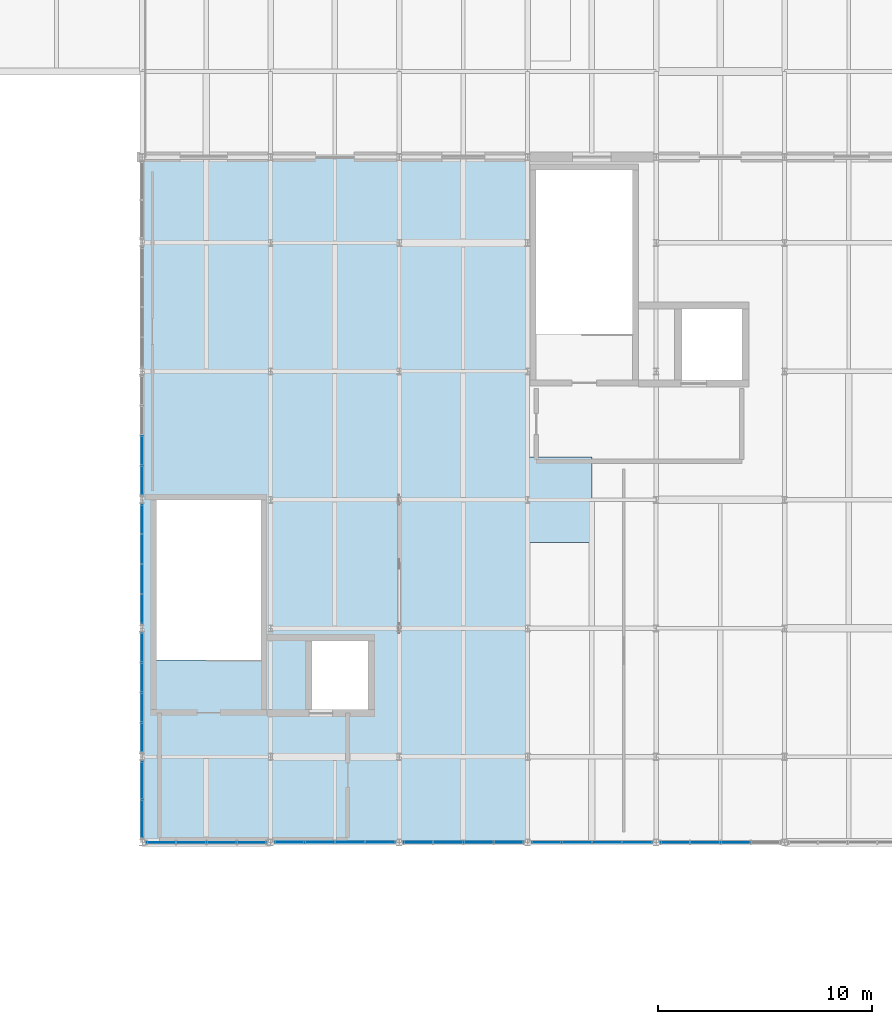
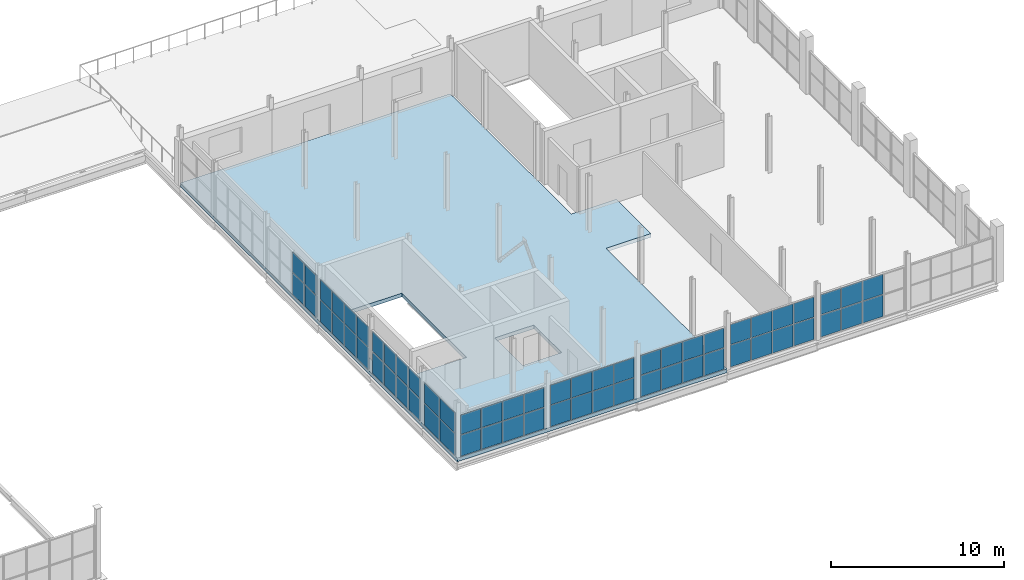
# One storey, part 79 of 96: 62 plates, 1 slab, 9 elements without a shape of their own.
"""IFC4 building model written with IfcOpenShell, lengths in metres."""

from ifc_helpers import new_model, si_unit, direction, frame, origin, origin_2d, place, context, subcontext, project, spatial, polyline, rectangle, outline, extrude, material, layer, layer_set, type_object, element, aggregate, save


model = new_model("IFC4")

# Units and contexts
model_context = context("Model", 3, precision=1e-05, world=origin(), true_north=direction((0.0, 1.0)))
body_context = subcontext(model_context, "Body", "Model", "MODEL_VIEW")
ifc_project = project(units=[si_unit("LENGTHUNIT", "METRE"), si_unit("AREAUNIT", "SQUARE_METRE"), si_unit("VOLUMEUNIT", "CUBIC_METRE"), si_unit("PLANEANGLEUNIT", "RADIAN"), si_unit("MASSUNIT", "GRAM", prefix="KILO")], contexts=[model_context])

# Site, building, storey
site_placement = place(None, origin())
site = spatial("IfcSite", under=ifc_project, at=site_placement, CompositionType="ELEMENT")
building_placement = place(site_placement, origin())
building = spatial("IfcBuilding", under=site, at=building_placement, Name="Verrall Gate Interchange", CompositionType="ELEMENT")
storey_placement = place(building_placement, frame((0.0, 0.0, 11.39990234375)))
storey = spatial("IfcBuildingStorey", under=building, at=storey_placement, Name="L03", CompositionType="ELEMENT", Elevation=11.39990234375)

# Curtain wall, plates
ifc_material_1 = material(Name="Thermally Broken Anodized Aluminium Curtain Wall Framing", Category="aluminium")
curtain_wall_type_1 = type_object("IfcCurtainWallType", Name="CW-35 Unitized Curtain Wall 5682x3030", PredefinedType="NOTDEFINED", material=ifc_material_1)
curtain_wall_1_placement = place(storey_placement, origin())
curtain_wall_1 = element("IfcCurtainWall", 1, at=curtain_wall_1_placement, inside=storey, type_object=curtain_wall_type_1, Name="L03 Unitized Curtain Wall CW-L03-109", PredefinedType="NOTDEFINED")
ifc_material_2 = material(Name="Triple-Glazed Low-E Argon Insulated Curtain Panel (U=1.45)", Category="glass")
ifc_layer_1 = layer(ifc_material_2, 0.030029296875)
ifc_layer_set_1 = layer_set([ifc_layer_1], Name="Triple-Glazed Low-E Argon Insulated Curtain Panel (U=1.45)")
plate_type_1 = type_object("IfcPlateType", Name="CP-01 Curtain Glazing Panel 30", PredefinedType="CURTAIN_PANEL", material=ifc_layer_set_1)
plate_1_placement = place(storey_placement, frame((132.887939453125, 12.0, 0.06298828125), z_axis=(0.0, 0.0, 1.0), x_axis=(1.0, 0.0, 0.0)))
plate_1 = element("IfcPlate", 2, at=plate_1_placement, type_object=plate_type_1, Name="CW-L03-109 Glazing Panel 1.1", PredefinedType="CURTAIN_PANEL", context=body_context, shape_type="SweptSolid", body=[
    extrude(rectangle(XDim=1.33203125, YDim=0.030029296875, at=origin_2d()), origin(), (0.0, 0.0, 1.0), 1.487060546875),
])
plate_2_placement = place(storey_placement, frame((132.887939453125, 12.0, 1.60107421875), z_axis=(0.0, 0.0, 1.0), x_axis=(1.0, 0.0, 0.0)))
plate_2 = element("IfcPlate", 3, at=plate_2_placement, type_object=plate_type_1, Name="CW-L03-109 Glazing Panel 1.2", PredefinedType="CURTAIN_PANEL", context=body_context, shape_type="SweptSolid", body=[
    extrude(rectangle(XDim=1.33203125, YDim=0.030029296875, at=origin_2d()), origin(), (0.0, 0.0, 1.0), 1.365966796875),
])
plate_3_placement = place(storey_placement, frame((134.289794921875, 12.0, 0.06298828125), z_axis=(0.0, 0.0, 1.0), x_axis=(1.0, 0.0, 0.0)))
plate_3 = element("IfcPlate", 4, at=plate_3_placement, type_object=plate_type_1, Name="CW-L03-109 Glazing Panel 2.1", PredefinedType="CURTAIN_PANEL", context=body_context, shape_type="SweptSolid", body=[
    extrude(rectangle(XDim=1.369384765625, YDim=0.030029296875, at=origin_2d()), origin(), (0.0, 0.0, 1.0), 1.487060546875),
])
plate_4_placement = place(storey_placement, frame((134.289794921875, 12.0, 1.60107421875), z_axis=(0.0, 0.0, 1.0), x_axis=(1.0, 0.0, 0.0)))
plate_4 = element("IfcPlate", 5, at=plate_4_placement, type_object=plate_type_1, Name="CW-L03-109 Glazing Panel 2.2", PredefinedType="CURTAIN_PANEL", context=body_context, shape_type="SweptSolid", body=[
    extrude(rectangle(XDim=1.369384765625, YDim=0.030029296875, at=origin_2d()), origin(), (0.0, 0.0, 1.0), 1.365966796875),
])
plate_5_placement = place(storey_placement, frame((135.710205078125, 12.0, 0.06298828125), z_axis=(0.0, 0.0, 1.0), x_axis=(1.0, 0.0, 0.0)))
plate_5 = element("IfcPlate", 6, at=plate_5_placement, type_object=plate_type_1, Name="CW-L03-109 Glazing Panel 3.1", PredefinedType="CURTAIN_PANEL", context=body_context, shape_type="SweptSolid", body=[
    extrude(rectangle(XDim=1.369384765625, YDim=0.030029296875, at=origin_2d()), origin(), (0.0, 0.0, 1.0), 1.487060546875),
])
plate_6_placement = place(storey_placement, frame((135.710205078125, 12.0, 1.60107421875), z_axis=(0.0, 0.0, 1.0), x_axis=(1.0, 0.0, 0.0)))
plate_6 = element("IfcPlate", 7, at=plate_6_placement, type_object=plate_type_1, Name="CW-L03-109 Glazing Panel 3.2", PredefinedType="CURTAIN_PANEL", context=body_context, shape_type="SweptSolid", body=[
    extrude(rectangle(XDim=1.369384765625, YDim=0.030029296875, at=origin_2d()), origin(), (0.0, 0.0, 1.0), 1.365966796875),
])
plate_7_placement = place(storey_placement, frame((137.112060546875, 12.0, 0.06298828125), z_axis=(0.0, 0.0, 1.0), x_axis=(1.0, 0.0, 0.0)))
plate_7 = element("IfcPlate", 8, at=plate_7_placement, type_object=plate_type_1, Name="CW-L03-109 Glazing Panel 4.1", PredefinedType="CURTAIN_PANEL", context=body_context, shape_type="SweptSolid", body=[
    extrude(rectangle(XDim=1.33203125, YDim=0.030029296875, at=origin_2d()), origin(), (0.0, 0.0, 1.0), 1.487060546875),
])
plate_8_placement = place(storey_placement, frame((137.112060546875, 12.0, 1.60107421875), z_axis=(0.0, 0.0, 1.0), x_axis=(1.0, 0.0, 0.0)))
plate_8 = element("IfcPlate", 9, at=plate_8_placement, type_object=plate_type_1, Name="CW-L03-109 Glazing Panel 4.2", PredefinedType="CURTAIN_PANEL", context=body_context, shape_type="SweptSolid", body=[
    extrude(rectangle(XDim=1.33203125, YDim=0.030029296875, at=origin_2d()), origin(), (0.0, 0.0, 1.0), 1.365966796875),
])
aggregate(curtain_wall_1, [plate_1, plate_2, plate_3, plate_4, plate_5, plate_6, plate_7, plate_8])

ifc_material_3 = material(Name="Thermally Broken Anodized Aluminium Curtain Wall Framing", Category="aluminium")
curtain_wall_type_2 = type_object("IfcCurtainWallType", Name="CW-31 Unitized Curtain Wall 5682x3110", PredefinedType="NOTDEFINED", material=ifc_material_3)
curtain_wall_2_placement = place(storey_placement, origin())
curtain_wall_2 = element("IfcCurtainWall", 10, at=curtain_wall_2_placement, inside=storey, type_object=curtain_wall_type_2, Name="L03 Unitized Curtain Wall CW-L03-112", PredefinedType="NOTDEFINED")
plate_9_placement = place(storey_placement, frame((150.885498046875, 12.0, 0.0546875), z_axis=(0.0, 0.0, 1.0), x_axis=(1.0, 0.0, 0.0)))
plate_9 = element("IfcPlate", 11, at=plate_9_placement, type_object=plate_type_1, Name="CW-L03-112 Glazing Panel 1.1", PredefinedType="CURTAIN_PANEL", context=body_context, shape_type="SweptSolid", body=[
    extrude(rectangle(XDim=1.34375, YDim=0.030029296875, at=origin_2d()), origin(), (0.0, 0.0, 1.0), 1.54052734375),
])
plate_10_placement = place(storey_placement, frame((150.885498046875, 12.0, 1.639404296875), z_axis=(0.0, 0.0, 1.0), x_axis=(1.0, 0.0, 0.0)))
plate_10 = element("IfcPlate", 12, at=plate_10_placement, type_object=plate_type_1, Name="CW-L03-112 Glazing Panel 1.2", PredefinedType="CURTAIN_PANEL", context=body_context, shape_type="SweptSolid", body=[
    extrude(rectangle(XDim=1.34375, YDim=0.030029296875, at=origin_2d()), origin(), (0.0, 0.0, 1.0), 1.416015625),
])
plate_11_placement = place(storey_placement, frame((152.289794921875, 12.0, 0.0546875), z_axis=(0.0, 0.0, 1.0), x_axis=(1.0, 0.0, 0.0)))
plate_11 = element("IfcPlate", 13, at=plate_11_placement, type_object=plate_type_1, Name="CW-L03-112 Glazing Panel 2.1", PredefinedType="CURTAIN_PANEL", context=body_context, shape_type="SweptSolid", body=[
    extrude(rectangle(XDim=1.376220703125, YDim=0.030029296875, at=origin_2d()), origin(), (0.0, 0.0, 1.0), 1.54052734375),
])
plate_12_placement = place(storey_placement, frame((152.289794921875, 12.0, 1.639404296875), z_axis=(0.0, 0.0, 1.0), x_axis=(1.0, 0.0, 0.0)))
plate_12 = element("IfcPlate", 14, at=plate_12_placement, type_object=plate_type_1, Name="CW-L03-112 Glazing Panel 2.2", PredefinedType="CURTAIN_PANEL", context=body_context, shape_type="SweptSolid", body=[
    extrude(rectangle(XDim=1.376220703125, YDim=0.030029296875, at=origin_2d()), origin(), (0.0, 0.0, 1.0), 1.416015625),
])
plate_13_placement = place(storey_placement, frame((153.710205078125, 12.0, 0.0546875), z_axis=(0.0, 0.0, 1.0), x_axis=(1.0, 0.0, 0.0)))
plate_13 = element("IfcPlate", 15, at=plate_13_placement, type_object=plate_type_1, Name="CW-L03-112 Glazing Panel 3.1", PredefinedType="CURTAIN_PANEL", context=body_context, shape_type="SweptSolid", body=[
    extrude(rectangle(XDim=1.376220703125, YDim=0.030029296875, at=origin_2d()), origin(), (0.0, 0.0, 1.0), 1.54052734375),
])
plate_14_placement = place(storey_placement, frame((153.710205078125, 12.0, 1.639404296875), z_axis=(0.0, 0.0, 1.0), x_axis=(1.0, 0.0, 0.0)))
plate_14 = element("IfcPlate", 16, at=plate_14_placement, type_object=plate_type_1, Name="CW-L03-112 Glazing Panel 3.2", PredefinedType="CURTAIN_PANEL", context=body_context, shape_type="SweptSolid", body=[
    extrude(rectangle(XDim=1.376220703125, YDim=0.030029296875, at=origin_2d()), origin(), (0.0, 0.0, 1.0), 1.416015625),
])
plate_15_placement = place(storey_placement, frame((155.114501953125, 12.0, 0.0546875), z_axis=(0.0, 0.0, 1.0), x_axis=(1.0, 0.0, 0.0)))
plate_15 = element("IfcPlate", 17, at=plate_15_placement, type_object=plate_type_1, Name="CW-L03-112 Glazing Panel 4.1", PredefinedType="CURTAIN_PANEL", context=body_context, shape_type="SweptSolid", body=[
    extrude(rectangle(XDim=1.34375, YDim=0.030029296875, at=origin_2d()), origin(), (0.0, 0.0, 1.0), 1.54052734375),
])
plate_16_placement = place(storey_placement, frame((155.114501953125, 12.0, 1.639404296875), z_axis=(0.0, 0.0, 1.0), x_axis=(1.0, 0.0, 0.0)))
plate_16 = element("IfcPlate", 18, at=plate_16_placement, type_object=plate_type_1, Name="CW-L03-112 Glazing Panel 4.2", PredefinedType="CURTAIN_PANEL", context=body_context, shape_type="SweptSolid", body=[
    extrude(rectangle(XDim=1.34375, YDim=0.030029296875, at=origin_2d()), origin(), (0.0, 0.0, 1.0), 1.416015625),
])
aggregate(curtain_wall_2, [plate_9, plate_10, plate_11, plate_12, plate_13, plate_14, plate_15, plate_16])

curtain_wall_3_placement = place(storey_placement, origin())
curtain_wall_3 = element("IfcCurtainWall", 19, at=curtain_wall_3_placement, inside=storey, type_object=curtain_wall_type_2, Name="L03 Unitized Curtain Wall CW-L03-113", PredefinedType="NOTDEFINED")
plate_17_placement = place(storey_placement, frame((156.887939453125, 12.0, 0.06298828125), z_axis=(0.0, 0.0, 1.0), x_axis=(1.0, 0.0, 0.0)))
plate_17 = element("IfcPlate", 20, at=plate_17_placement, type_object=plate_type_1, Name="CW-L03-113 Glazing Panel 1.1", PredefinedType="CURTAIN_PANEL", context=body_context, shape_type="SweptSolid", body=[
    extrude(rectangle(XDim=1.33203125, YDim=0.030029296875, at=origin_2d()), origin(), (0.0, 0.0, 1.0), 1.52880859375),
])
plate_18_placement = place(storey_placement, frame((156.887939453125, 12.0, 1.642822265625), z_axis=(0.0, 0.0, 1.0), x_axis=(1.0, 0.0, 0.0)))
plate_18 = element("IfcPlate", 21, at=plate_18_placement, type_object=plate_type_1, Name="CW-L03-113 Glazing Panel 1.2", PredefinedType="CURTAIN_PANEL", context=body_context, shape_type="SweptSolid", body=[
    extrude(rectangle(XDim=1.33203125, YDim=0.030029296875, at=origin_2d()), origin(), (0.0, 0.0, 1.0), 1.404296875),
])
plate_19_placement = place(storey_placement, frame((158.289794921875, 12.0, 0.06298828125), z_axis=(0.0, 0.0, 1.0), x_axis=(1.0, 0.0, 0.0)))
plate_19 = element("IfcPlate", 22, at=plate_19_placement, type_object=plate_type_1, Name="CW-L03-113 Glazing Panel 2.1", PredefinedType="CURTAIN_PANEL", context=body_context, shape_type="SweptSolid", body=[
    extrude(rectangle(XDim=1.369384765625, YDim=0.030029296875, at=origin_2d()), origin(), (0.0, 0.0, 1.0), 1.52880859375),
])
plate_20_placement = place(storey_placement, frame((158.289794921875, 12.0, 1.642822265625), z_axis=(0.0, 0.0, 1.0), x_axis=(1.0, 0.0, 0.0)))
plate_20 = element("IfcPlate", 23, at=plate_20_placement, type_object=plate_type_1, Name="CW-L03-113 Glazing Panel 2.2", PredefinedType="CURTAIN_PANEL", context=body_context, shape_type="SweptSolid", body=[
    extrude(rectangle(XDim=1.369384765625, YDim=0.030029296875, at=origin_2d()), origin(), (0.0, 0.0, 1.0), 1.404296875),
])
plate_21_placement = place(storey_placement, frame((159.710205078125, 12.0, 0.06298828125), z_axis=(0.0, 0.0, 1.0), x_axis=(1.0, 0.0, 0.0)))
plate_21 = element("IfcPlate", 24, at=plate_21_placement, type_object=plate_type_1, Name="CW-L03-113 Glazing Panel 3.1", PredefinedType="CURTAIN_PANEL", context=body_context, shape_type="SweptSolid", body=[
    extrude(rectangle(XDim=1.369384765625, YDim=0.030029296875, at=origin_2d()), origin(), (0.0, 0.0, 1.0), 1.52880859375),
])
plate_22_placement = place(storey_placement, frame((159.710205078125, 12.0, 1.642822265625), z_axis=(0.0, 0.0, 1.0), x_axis=(1.0, 0.0, 0.0)))
plate_22 = element("IfcPlate", 25, at=plate_22_placement, type_object=plate_type_1, Name="CW-L03-113 Glazing Panel 3.2", PredefinedType="CURTAIN_PANEL", context=body_context, shape_type="SweptSolid", body=[
    extrude(rectangle(XDim=1.369384765625, YDim=0.030029296875, at=origin_2d()), origin(), (0.0, 0.0, 1.0), 1.404296875),
])
aggregate(curtain_wall_3, [plate_17, plate_18, plate_19, plate_20, plate_21, plate_22])

ifc_material_4 = material(Name="Thermally Broken Anodized Aluminium Curtain Wall Framing", Category="aluminium")
curtain_wall_type_3 = type_object("IfcCurtainWallType", Name="CW-36 Unitized Curtain Wall 5559x3110", PredefinedType="NOTDEFINED", material=ifc_material_4)
curtain_wall_4_placement = place(storey_placement, origin())
curtain_wall_4 = element("IfcCurtainWall", 26, at=curtain_wall_4_placement, inside=storey, type_object=curtain_wall_type_3, Name="L03 Unitized Curtain Wall CW-L03-124", PredefinedType="NOTDEFINED")
plate_23_placement = place(storey_placement, frame((132.0, 27.094970703125, 0.0546875), z_axis=(0.0, 0.0, 1.0), x_axis=(0.0, -1.0, 0.0)))
plate_23 = element("IfcPlate", 27, at=plate_23_placement, type_object=plate_type_1, Name="CW-L03-124 Glazing Panel 1.1", PredefinedType="CURTAIN_PANEL", context=body_context, shape_type="SweptSolid", body=[
    extrude(rectangle(XDim=1.330810546875, YDim=0.030029296875, at=origin_2d()), origin(), (0.0, 0.0, 1.0), 1.54052734375),
])
plate_24_placement = place(storey_placement, frame((132.0, 27.094970703125, 1.639404296875), z_axis=(0.0, 0.0, 1.0), x_axis=(0.0, -1.0, 0.0)))
plate_24 = element("IfcPlate", 28, at=plate_24_placement, type_object=plate_type_1, Name="CW-L03-124 Glazing Panel 1.2", PredefinedType="CURTAIN_PANEL", context=body_context, shape_type="SweptSolid", body=[
    extrude(rectangle(XDim=1.330810546875, YDim=0.030029296875, at=origin_2d()), origin(), (0.0, 0.0, 1.0), 1.416015625),
])
plate_25_placement = place(storey_placement, frame((132.0, 25.70361328125, 0.0546875), z_axis=(0.0, 0.0, 1.0), x_axis=(0.0, -1.0, 0.0)))
plate_25 = element("IfcPlate", 29, at=plate_25_placement, type_object=plate_type_1, Name="CW-L03-124 Glazing Panel 2.1", PredefinedType="CURTAIN_PANEL", context=body_context, shape_type="SweptSolid", body=[
    extrude(rectangle(XDim=1.36328125, YDim=0.030029296875, at=origin_2d()), origin(), (0.0, 0.0, 1.0), 1.54052734375),
])
plate_26_placement = place(storey_placement, frame((132.0, 25.70361328125, 1.639404296875), z_axis=(0.0, 0.0, 1.0), x_axis=(0.0, -1.0, 0.0)))
plate_26 = element("IfcPlate", 30, at=plate_26_placement, type_object=plate_type_1, Name="CW-L03-124 Glazing Panel 2.2", PredefinedType="CURTAIN_PANEL", context=body_context, shape_type="SweptSolid", body=[
    extrude(rectangle(XDim=1.36328125, YDim=0.030029296875, at=origin_2d()), origin(), (0.0, 0.0, 1.0), 1.416015625),
])
plate_27_placement = place(storey_placement, frame((132.0, 24.29638671875, 0.0546875), z_axis=(0.0, 0.0, 1.0), x_axis=(0.0, -1.0, 0.0)))
plate_27 = element("IfcPlate", 31, at=plate_27_placement, type_object=plate_type_1, Name="CW-L03-124 Glazing Panel 3.1", PredefinedType="CURTAIN_PANEL", context=body_context, shape_type="SweptSolid", body=[
    extrude(rectangle(XDim=1.36328125, YDim=0.030029296875, at=origin_2d()), origin(), (0.0, 0.0, 1.0), 1.54052734375),
])
plate_28_placement = place(storey_placement, frame((132.0, 24.29638671875, 1.639404296875), z_axis=(0.0, 0.0, 1.0), x_axis=(0.0, -1.0, 0.0)))
plate_28 = element("IfcPlate", 32, at=plate_28_placement, type_object=plate_type_1, Name="CW-L03-124 Glazing Panel 3.2", PredefinedType="CURTAIN_PANEL", context=body_context, shape_type="SweptSolid", body=[
    extrude(rectangle(XDim=1.36328125, YDim=0.030029296875, at=origin_2d()), origin(), (0.0, 0.0, 1.0), 1.416015625),
])
plate_29_placement = place(storey_placement, frame((132.0, 22.905029296875, 0.0546875), z_axis=(0.0, 0.0, 1.0), x_axis=(0.0, -1.0, 0.0)))
plate_29 = element("IfcPlate", 33, at=plate_29_placement, type_object=plate_type_1, Name="CW-L03-124 Glazing Panel 4.1", PredefinedType="CURTAIN_PANEL", context=body_context, shape_type="SweptSolid", body=[
    extrude(rectangle(XDim=1.330810546875, YDim=0.030029296875, at=origin_2d()), origin(), (0.0, 0.0, 1.0), 1.54052734375),
])
plate_30_placement = place(storey_placement, frame((132.0, 22.905029296875, 1.639404296875), z_axis=(0.0, 0.0, 1.0), x_axis=(0.0, -1.0, 0.0)))
plate_30 = element("IfcPlate", 34, at=plate_30_placement, type_object=plate_type_1, Name="CW-L03-124 Glazing Panel 4.2", PredefinedType="CURTAIN_PANEL", context=body_context, shape_type="SweptSolid", body=[
    extrude(rectangle(XDim=1.330810546875, YDim=0.030029296875, at=origin_2d()), origin(), (0.0, 0.0, 1.0), 1.416015625),
])
aggregate(curtain_wall_4, [plate_23, plate_24, plate_25, plate_26, plate_27, plate_28, plate_29, plate_30])

curtain_wall_5_placement = place(storey_placement, origin())
curtain_wall_5 = element("IfcCurtainWall", 35, at=curtain_wall_5_placement, inside=storey, type_object=curtain_wall_type_3, Name="L03 Unitized Curtain Wall CW-L03-125", PredefinedType="NOTDEFINED")
plate_31_placement = place(storey_placement, frame((132.0, 21.092529296875, 0.06298828125), z_axis=(0.0, 0.0, 1.0), x_axis=(0.0, -1.0, 0.0)))
plate_31 = element("IfcPlate", 36, at=plate_31_placement, type_object=plate_type_1, Name="CW-L03-125 Glazing Panel 1.1", PredefinedType="CURTAIN_PANEL", context=body_context, shape_type="SweptSolid", body=[
    extrude(rectangle(XDim=1.319091796875, YDim=0.030029296875, at=origin_2d()), origin(), (0.0, 0.0, 1.0), 1.52880859375),
])
plate_32_placement = place(storey_placement, frame((132.0, 21.092529296875, 1.642822265625), z_axis=(0.0, 0.0, 1.0), x_axis=(0.0, -1.0, 0.0)))
plate_32 = element("IfcPlate", 37, at=plate_32_placement, type_object=plate_type_1, Name="CW-L03-125 Glazing Panel 1.2", PredefinedType="CURTAIN_PANEL", context=body_context, shape_type="SweptSolid", body=[
    extrude(rectangle(XDim=1.319091796875, YDim=0.030029296875, at=origin_2d()), origin(), (0.0, 0.0, 1.0), 1.404296875),
])
plate_33_placement = place(storey_placement, frame((132.0, 19.70361328125, 0.06298828125), z_axis=(0.0, 0.0, 1.0), x_axis=(0.0, -1.0, 0.0)))
plate_33 = element("IfcPlate", 38, at=plate_33_placement, type_object=plate_type_1, Name="CW-L03-125 Glazing Panel 2.1", PredefinedType="CURTAIN_PANEL", context=body_context, shape_type="SweptSolid", body=[
    extrude(rectangle(XDim=1.3564453125, YDim=0.030029296875, at=origin_2d()), origin(), (0.0, 0.0, 1.0), 1.52880859375),
])
plate_34_placement = place(storey_placement, frame((132.0, 19.70361328125, 1.642822265625), z_axis=(0.0, 0.0, 1.0), x_axis=(0.0, -1.0, 0.0)))
plate_34 = element("IfcPlate", 39, at=plate_34_placement, type_object=plate_type_1, Name="CW-L03-125 Glazing Panel 2.2", PredefinedType="CURTAIN_PANEL", context=body_context, shape_type="SweptSolid", body=[
    extrude(rectangle(XDim=1.3564453125, YDim=0.030029296875, at=origin_2d()), origin(), (0.0, 0.0, 1.0), 1.404296875),
])
plate_35_placement = place(storey_placement, frame((132.0, 18.29638671875, 0.06298828125), z_axis=(0.0, 0.0, 1.0), x_axis=(0.0, -1.0, 0.0)))
plate_35 = element("IfcPlate", 40, at=plate_35_placement, type_object=plate_type_1, Name="CW-L03-125 Glazing Panel 3.1", PredefinedType="CURTAIN_PANEL", context=body_context, shape_type="SweptSolid", body=[
    extrude(rectangle(XDim=1.3564453125, YDim=0.030029296875, at=origin_2d()), origin(), (0.0, 0.0, 1.0), 1.52880859375),
])
plate_36_placement = place(storey_placement, frame((132.0, 18.29638671875, 1.642822265625), z_axis=(0.0, 0.0, 1.0), x_axis=(0.0, -1.0, 0.0)))
plate_36 = element("IfcPlate", 41, at=plate_36_placement, type_object=plate_type_1, Name="CW-L03-125 Glazing Panel 3.2", PredefinedType="CURTAIN_PANEL", context=body_context, shape_type="SweptSolid", body=[
    extrude(rectangle(XDim=1.3564453125, YDim=0.030029296875, at=origin_2d()), origin(), (0.0, 0.0, 1.0), 1.404296875),
])
plate_37_placement = place(storey_placement, frame((132.0, 16.907470703125, 0.06298828125), z_axis=(0.0, 0.0, 1.0), x_axis=(0.0, -1.0, 0.0)))
plate_37 = element("IfcPlate", 42, at=plate_37_placement, type_object=plate_type_1, Name="CW-L03-125 Glazing Panel 4.1", PredefinedType="CURTAIN_PANEL", context=body_context, shape_type="SweptSolid", body=[
    extrude(rectangle(XDim=1.319091796875, YDim=0.030029296875, at=origin_2d()), origin(), (0.0, 0.0, 1.0), 1.52880859375),
])
plate_38_placement = place(storey_placement, frame((132.0, 16.907470703125, 1.642822265625), z_axis=(0.0, 0.0, 1.0), x_axis=(0.0, -1.0, 0.0)))
plate_38 = element("IfcPlate", 43, at=plate_38_placement, type_object=plate_type_1, Name="CW-L03-125 Glazing Panel 4.2", PredefinedType="CURTAIN_PANEL", context=body_context, shape_type="SweptSolid", body=[
    extrude(rectangle(XDim=1.319091796875, YDim=0.030029296875, at=origin_2d()), origin(), (0.0, 0.0, 1.0), 1.404296875),
])
aggregate(curtain_wall_5, [plate_31, plate_32, plate_33, plate_34, plate_35, plate_36, plate_37, plate_38])

curtain_wall_6_placement = place(storey_placement, origin())
curtain_wall_6 = element("IfcCurtainWall", 44, at=curtain_wall_6_placement, inside=storey, type_object=curtain_wall_type_1, Name="L03 Unitized Curtain Wall CW-L03-110", PredefinedType="NOTDEFINED")
ifc_material_5 = material(Name="Triple-Glazed Low-E Argon Insulated Curtain Panel (U=1.45)", Category="glass")
ifc_layer_2 = layer(ifc_material_5, 0.0400390625)
ifc_layer_set_2 = layer_set([ifc_layer_2], Name="Triple-Glazed Low-E Argon Insulated Curtain Panel (U=1.45)")
plate_type_2 = type_object("IfcPlateType", Name="CP-02 Curtain Glazing Panel 40", PredefinedType="CURTAIN_PANEL", material=ifc_layer_set_2)
plate_39_placement = place(storey_placement, frame((138.885498046875, 12.0, 0.0546875), z_axis=(0.0, 0.0, 1.0), x_axis=(1.0, 0.0, 0.0)))
plate_39 = element("IfcPlate", 45, at=plate_39_placement, type_object=plate_type_2, Name="CW-L03-110 Glazing Panel 1.1", PredefinedType="CURTAIN_PANEL", context=body_context, shape_type="SweptSolid", body=[
    extrude(rectangle(XDim=1.34375, YDim=0.0400390625, at=origin_2d()), origin(), (0.0, 0.0, 1.0), 1.498779296875),
])
plate_40_placement = place(storey_placement, frame((138.885498046875, 12.0, 1.59765625), z_axis=(0.0, 0.0, 1.0), x_axis=(1.0, 0.0, 0.0)))
plate_40 = element("IfcPlate", 46, at=plate_40_placement, type_object=plate_type_2, Name="CW-L03-110 Glazing Panel 1.2", PredefinedType="CURTAIN_PANEL", context=body_context, shape_type="SweptSolid", body=[
    extrude(rectangle(XDim=1.34375, YDim=0.0400390625, at=origin_2d()), origin(), (0.0, 0.0, 1.0), 1.377685546875),
])
plate_41_placement = place(storey_placement, frame((140.289794921875, 12.0, 0.0546875), z_axis=(0.0, 0.0, 1.0), x_axis=(1.0, 0.0, 0.0)))
plate_41 = element("IfcPlate", 47, at=plate_41_placement, type_object=plate_type_2, Name="CW-L03-110 Glazing Panel 2.1", PredefinedType="CURTAIN_PANEL", context=body_context, shape_type="SweptSolid", body=[
    extrude(rectangle(XDim=1.376220703125, YDim=0.0400390625, at=origin_2d()), origin(), (0.0, 0.0, 1.0), 1.498779296875),
])
plate_42_placement = place(storey_placement, frame((140.289794921875, 12.0, 1.59765625), z_axis=(0.0, 0.0, 1.0), x_axis=(1.0, 0.0, 0.0)))
plate_42 = element("IfcPlate", 48, at=plate_42_placement, type_object=plate_type_2, Name="CW-L03-110 Glazing Panel 2.2", PredefinedType="CURTAIN_PANEL", context=body_context, shape_type="SweptSolid", body=[
    extrude(rectangle(XDim=1.376220703125, YDim=0.0400390625, at=origin_2d()), origin(), (0.0, 0.0, 1.0), 1.377685546875),
])
plate_43_placement = place(storey_placement, frame((141.710205078125, 12.0, 0.0546875), z_axis=(0.0, 0.0, 1.0), x_axis=(1.0, 0.0, 0.0)))
plate_43 = element("IfcPlate", 49, at=plate_43_placement, type_object=plate_type_2, Name="CW-L03-110 Glazing Panel 3.1", PredefinedType="CURTAIN_PANEL", context=body_context, shape_type="SweptSolid", body=[
    extrude(rectangle(XDim=1.376220703125, YDim=0.0400390625, at=origin_2d()), origin(), (0.0, 0.0, 1.0), 1.498779296875),
])
plate_44_placement = place(storey_placement, frame((141.710205078125, 12.0, 1.59765625), z_axis=(0.0, 0.0, 1.0), x_axis=(1.0, 0.0, 0.0)))
plate_44 = element("IfcPlate", 50, at=plate_44_placement, type_object=plate_type_2, Name="CW-L03-110 Glazing Panel 3.2", PredefinedType="CURTAIN_PANEL", context=body_context, shape_type="SweptSolid", body=[
    extrude(rectangle(XDim=1.376220703125, YDim=0.0400390625, at=origin_2d()), origin(), (0.0, 0.0, 1.0), 1.377685546875),
])
plate_45_placement = place(storey_placement, frame((143.114501953125, 12.0, 0.0546875), z_axis=(0.0, 0.0, 1.0), x_axis=(1.0, 0.0, 0.0)))
plate_45 = element("IfcPlate", 51, at=plate_45_placement, type_object=plate_type_2, Name="CW-L03-110 Glazing Panel 4.1", PredefinedType="CURTAIN_PANEL", context=body_context, shape_type="SweptSolid", body=[
    extrude(rectangle(XDim=1.34375, YDim=0.0400390625, at=origin_2d()), origin(), (0.0, 0.0, 1.0), 1.498779296875),
])
plate_46_placement = place(storey_placement, frame((143.114501953125, 12.0, 1.59765625), z_axis=(0.0, 0.0, 1.0), x_axis=(1.0, 0.0, 0.0)))
plate_46 = element("IfcPlate", 52, at=plate_46_placement, type_object=plate_type_2, Name="CW-L03-110 Glazing Panel 4.2", PredefinedType="CURTAIN_PANEL", context=body_context, shape_type="SweptSolid", body=[
    extrude(rectangle(XDim=1.34375, YDim=0.0400390625, at=origin_2d()), origin(), (0.0, 0.0, 1.0), 1.377685546875),
])
aggregate(curtain_wall_6, [plate_39, plate_40, plate_41, plate_42, plate_43, plate_44, plate_45, plate_46])

curtain_wall_7_placement = place(storey_placement, origin())
curtain_wall_7 = element("IfcCurtainWall", 53, at=curtain_wall_7_placement, inside=storey, type_object=curtain_wall_type_1, Name="L03 Unitized Curtain Wall CW-L03-111", PredefinedType="NOTDEFINED")
plate_47_placement = place(storey_placement, frame((144.887939453125, 12.0, 0.06298828125), z_axis=(0.0, 0.0, 1.0), x_axis=(1.0, 0.0, 0.0)))
plate_47 = element("IfcPlate", 54, at=plate_47_placement, type_object=plate_type_2, Name="CW-L03-111 Glazing Panel 1.1", PredefinedType="CURTAIN_PANEL", context=body_context, shape_type="SweptSolid", body=[
    extrude(rectangle(XDim=1.33203125, YDim=0.0400390625, at=origin_2d()), origin(), (0.0, 0.0, 1.0), 1.487060546875),
])
plate_48_placement = place(storey_placement, frame((144.887939453125, 12.0, 1.60107421875), z_axis=(0.0, 0.0, 1.0), x_axis=(1.0, 0.0, 0.0)))
plate_48 = element("IfcPlate", 55, at=plate_48_placement, type_object=plate_type_2, Name="CW-L03-111 Glazing Panel 1.2", PredefinedType="CURTAIN_PANEL", context=body_context, shape_type="SweptSolid", body=[
    extrude(rectangle(XDim=1.33203125, YDim=0.0400390625, at=origin_2d()), origin(), (0.0, 0.0, 1.0), 1.365966796875),
])
plate_49_placement = place(storey_placement, frame((146.289794921875, 12.0, 0.06298828125), z_axis=(0.0, 0.0, 1.0), x_axis=(1.0, 0.0, 0.0)))
plate_49 = element("IfcPlate", 56, at=plate_49_placement, type_object=plate_type_2, Name="CW-L03-111 Glazing Panel 2.1", PredefinedType="CURTAIN_PANEL", context=body_context, shape_type="SweptSolid", body=[
    extrude(rectangle(XDim=1.369384765625, YDim=0.0400390625, at=origin_2d()), origin(), (0.0, 0.0, 1.0), 1.487060546875),
])
plate_50_placement = place(storey_placement, frame((146.289794921875, 12.0, 1.60107421875), z_axis=(0.0, 0.0, 1.0), x_axis=(1.0, 0.0, 0.0)))
plate_50 = element("IfcPlate", 57, at=plate_50_placement, type_object=plate_type_2, Name="CW-L03-111 Glazing Panel 2.2", PredefinedType="CURTAIN_PANEL", context=body_context, shape_type="SweptSolid", body=[
    extrude(rectangle(XDim=1.369384765625, YDim=0.0400390625, at=origin_2d()), origin(), (0.0, 0.0, 1.0), 1.365966796875),
])
plate_51_placement = place(storey_placement, frame((147.710205078125, 12.0, 0.06298828125), z_axis=(0.0, 0.0, 1.0), x_axis=(1.0, 0.0, 0.0)))
plate_51 = element("IfcPlate", 58, at=plate_51_placement, type_object=plate_type_2, Name="CW-L03-111 Glazing Panel 3.1", PredefinedType="CURTAIN_PANEL", context=body_context, shape_type="SweptSolid", body=[
    extrude(rectangle(XDim=1.369384765625, YDim=0.0400390625, at=origin_2d()), origin(), (0.0, 0.0, 1.0), 1.487060546875),
])
plate_52_placement = place(storey_placement, frame((147.710205078125, 12.0, 1.60107421875), z_axis=(0.0, 0.0, 1.0), x_axis=(1.0, 0.0, 0.0)))
plate_52 = element("IfcPlate", 59, at=plate_52_placement, type_object=plate_type_2, Name="CW-L03-111 Glazing Panel 3.2", PredefinedType="CURTAIN_PANEL", context=body_context, shape_type="SweptSolid", body=[
    extrude(rectangle(XDim=1.369384765625, YDim=0.0400390625, at=origin_2d()), origin(), (0.0, 0.0, 1.0), 1.365966796875),
])
plate_53_placement = place(storey_placement, frame((149.112060546875, 12.0, 0.06298828125), z_axis=(0.0, 0.0, 1.0), x_axis=(1.0, 0.0, 0.0)))
plate_53 = element("IfcPlate", 60, at=plate_53_placement, type_object=plate_type_2, Name="CW-L03-111 Glazing Panel 4.1", PredefinedType="CURTAIN_PANEL", context=body_context, shape_type="SweptSolid", body=[
    extrude(rectangle(XDim=1.33203125, YDim=0.0400390625, at=origin_2d()), origin(), (0.0, 0.0, 1.0), 1.487060546875),
])
plate_54_placement = place(storey_placement, frame((149.112060546875, 12.0, 1.60107421875), z_axis=(0.0, 0.0, 1.0), x_axis=(1.0, 0.0, 0.0)))
plate_54 = element("IfcPlate", 61, at=plate_54_placement, type_object=plate_type_2, Name="CW-L03-111 Glazing Panel 4.2", PredefinedType="CURTAIN_PANEL", context=body_context, shape_type="SweptSolid", body=[
    extrude(rectangle(XDim=1.33203125, YDim=0.0400390625, at=origin_2d()), origin(), (0.0, 0.0, 1.0), 1.365966796875),
])
aggregate(curtain_wall_7, [plate_47, plate_48, plate_49, plate_50, plate_51, plate_52, plate_53, plate_54])

curtain_wall_8_placement = place(storey_placement, origin())
curtain_wall_8 = element("IfcCurtainWall", 62, at=curtain_wall_8_placement, inside=storey, type_object=curtain_wall_type_3, Name="L03 Unitized Curtain Wall CW-L03-123", PredefinedType="NOTDEFINED")
plate_55_placement = place(storey_placement, frame((132.0, 30.296142578125, 0.06298828125), z_axis=(0.0, 0.0, 1.0), x_axis=(0.0, -1.0, 0.0)))
plate_55 = element("IfcPlate", 63, at=plate_55_placement, type_object=plate_type_2, Name="CW-L03-123 Glazing Panel 3.1", PredefinedType="CURTAIN_PANEL", context=body_context, shape_type="SweptSolid", body=[
    extrude(rectangle(XDim=1.3564453125, YDim=0.0400390625, at=origin_2d()), origin(), (0.0, 0.0, 1.0), 1.52880859375),
])
plate_56_placement = place(storey_placement, frame((132.0, 30.296142578125, 1.642822265625), z_axis=(0.0, 0.0, 1.0), x_axis=(0.0, -1.0, 0.0)))
plate_56 = element("IfcPlate", 64, at=plate_56_placement, type_object=plate_type_2, Name="CW-L03-123 Glazing Panel 3.2", PredefinedType="CURTAIN_PANEL", context=body_context, shape_type="SweptSolid", body=[
    extrude(rectangle(XDim=1.3564453125, YDim=0.0400390625, at=origin_2d()), origin(), (0.0, 0.0, 1.0), 1.404296875),
])
plate_57_placement = place(storey_placement, frame((132.0, 28.907470703125, 0.06298828125), z_axis=(0.0, 0.0, 1.0), x_axis=(0.0, -1.0, 0.0)))
plate_57 = element("IfcPlate", 65, at=plate_57_placement, type_object=plate_type_2, Name="CW-L03-123 Glazing Panel 4.1", PredefinedType="CURTAIN_PANEL", context=body_context, shape_type="SweptSolid", body=[
    extrude(rectangle(XDim=1.319091796875, YDim=0.0400390625, at=origin_2d()), origin(), (0.0, 0.0, 1.0), 1.52880859375),
])
plate_58_placement = place(storey_placement, frame((132.0, 28.907470703125, 1.642822265625), z_axis=(0.0, 0.0, 1.0), x_axis=(0.0, -1.0, 0.0)))
plate_58 = element("IfcPlate", 66, at=plate_58_placement, type_object=plate_type_2, Name="CW-L03-123 Glazing Panel 4.2", PredefinedType="CURTAIN_PANEL", context=body_context, shape_type="SweptSolid", body=[
    extrude(rectangle(XDim=1.319091796875, YDim=0.0400390625, at=origin_2d()), origin(), (0.0, 0.0, 1.0), 1.404296875),
])
aggregate(curtain_wall_8, [plate_55, plate_56, plate_57, plate_58])

ifc_material_6 = material(Name="Thermally Broken Anodized Aluminium Curtain Wall Framing", Category="aluminium")
curtain_wall_type_4 = type_object("IfcCurtainWallType", Name="CW-17 Unitized Curtain Wall 3631x3100", PredefinedType="NOTDEFINED", material=ifc_material_6)
curtain_wall_9_placement = place(storey_placement, origin())
curtain_wall_9 = element("IfcCurtainWall", 67, at=curtain_wall_9_placement, inside=storey, type_object=curtain_wall_type_4, Name="L03 Unitized Curtain Wall CW-L03-126", PredefinedType="NOTDEFINED")
plate_59_placement = place(storey_placement, frame((132.0, 14.89111328125, 0.0546875), z_axis=(0.0, 0.0, 1.0), x_axis=(0.0, -1.0, 0.0)))
plate_59 = element("IfcPlate", 68, at=plate_59_placement, type_object=plate_type_2, Name="CW-L03-126 Glazing Panel 1.1", PredefinedType="CURTAIN_PANEL", context=body_context, shape_type="SweptSolid", body=[
    extrude(rectangle(XDim=1.73828125, YDim=0.0400390625, at=origin_2d()), origin(), (0.0, 0.0, 1.0), 1.54052734375),
])
plate_60_placement = place(storey_placement, frame((132.0, 14.89111328125, 1.639404296875), z_axis=(0.0, 0.0, 1.0), x_axis=(0.0, -1.0, 0.0)))
plate_60 = element("IfcPlate", 69, at=plate_60_placement, type_object=plate_type_2, Name="CW-L03-126 Glazing Panel 1.2", PredefinedType="CURTAIN_PANEL", context=body_context, shape_type="SweptSolid", body=[
    extrude(rectangle(XDim=1.73828125, YDim=0.0400390625, at=origin_2d()), origin(), (0.0, 0.0, 1.0), 1.416015625),
])
plate_61_placement = place(storey_placement, frame((132.0, 13.10888671875, 0.0546875), z_axis=(0.0, 0.0, 1.0), x_axis=(0.0, -1.0, 0.0)))
plate_61 = element("IfcPlate", 70, at=plate_61_placement, type_object=plate_type_2, Name="CW-L03-126 Glazing Panel 2.1", PredefinedType="CURTAIN_PANEL", context=body_context, shape_type="SweptSolid", body=[
    extrude(rectangle(XDim=1.73828125, YDim=0.0400390625, at=origin_2d()), origin(), (0.0, 0.0, 1.0), 1.54052734375),
])
plate_62_placement = place(storey_placement, frame((132.0, 13.10888671875, 1.639404296875), z_axis=(0.0, 0.0, 1.0), x_axis=(0.0, -1.0, 0.0)))
plate_62 = element("IfcPlate", 71, at=plate_62_placement, type_object=plate_type_2, Name="CW-L03-126 Glazing Panel 2.2", PredefinedType="CURTAIN_PANEL", context=body_context, shape_type="SweptSolid", body=[
    extrude(rectangle(XDim=1.73828125, YDim=0.0400390625, at=origin_2d()), origin(), (0.0, 0.0, 1.0), 1.416015625),
])
aggregate(curtain_wall_9, [plate_59, plate_60, plate_61, plate_62])

# Slab
ifc_material_7 = material(Name="Concrete CSA A23.1 40 MPa (Class N)", Category="concrete")
ifc_layer_3 = layer(ifc_material_7, 0.260009765625)
ifc_layer_set_3 = layer_set([ifc_layer_3], Name="Concrete CSA A23.1 40 MPa (Class N)")
slab_type = type_object("IfcSlabType", Name="FS-09 Floor Slab 260", PredefinedType="FLOOR", material=ifc_layer_set_3)
slab_placement = place(storey_placement, frame((0.0, 0.0, -0.260009765625)))
element("IfcSlab", 72, at=slab_placement, inside=storey, type_object=slab_type, Name="L03 Structural Slab SLB-L03-05", PredefinedType="FLOOR", context=body_context, shape_type="SweptSolid", body=[
    extrude(outline(polyline([(132.0, 44.0), (150.0, 44.0), (150.0, 30.0), (153.0, 30.0), (153.0, 26.0), (150.0, 26.0), (150.0, 12.0), (132.0, 12.0), (132.0, 44.0)]), holes=[polyline([(139.93994140625, 21.39990234375), (139.93994140625, 18.199951171875), (142.5400390625, 18.199951171875), (142.5400390625, 21.39990234375), (139.93994140625, 21.39990234375)]), polyline([(132.679931640625, 28.0), (132.679931640625, 20.530029296875), (137.5400390625, 20.530029296875), (137.5400390625, 28.0), (132.679931640625, 28.0)])]), origin(), (0.0, 0.0, 1.0), 0.260009765625),
])

save(model, "model.ifc")
